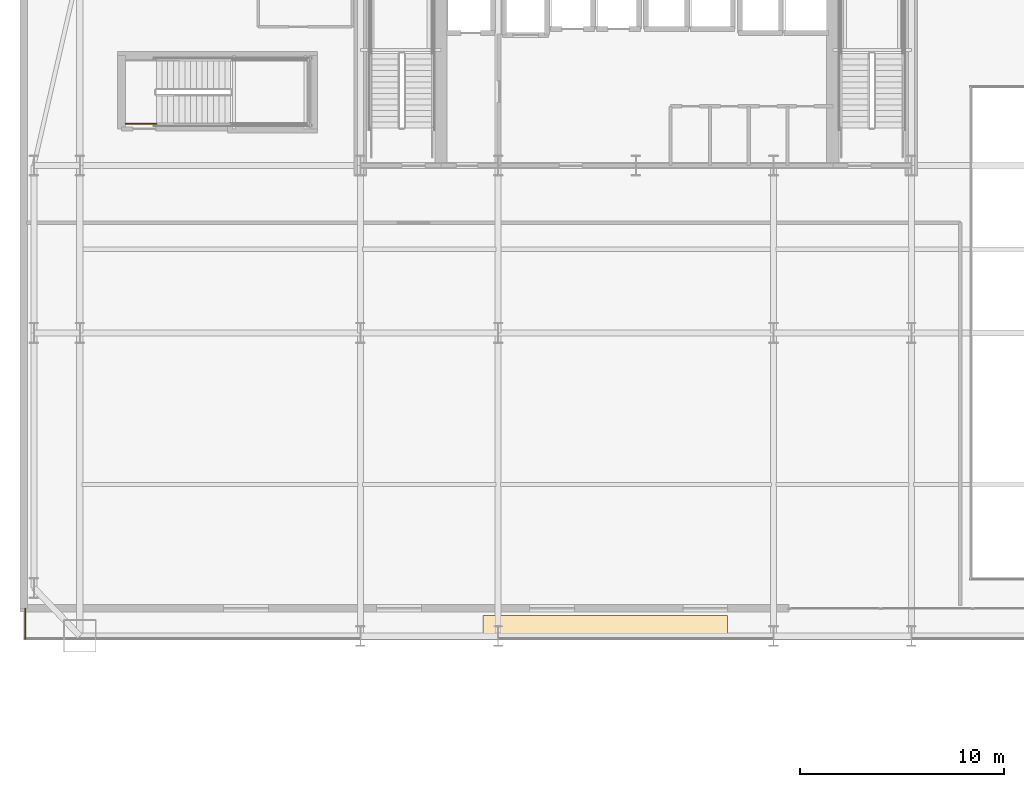
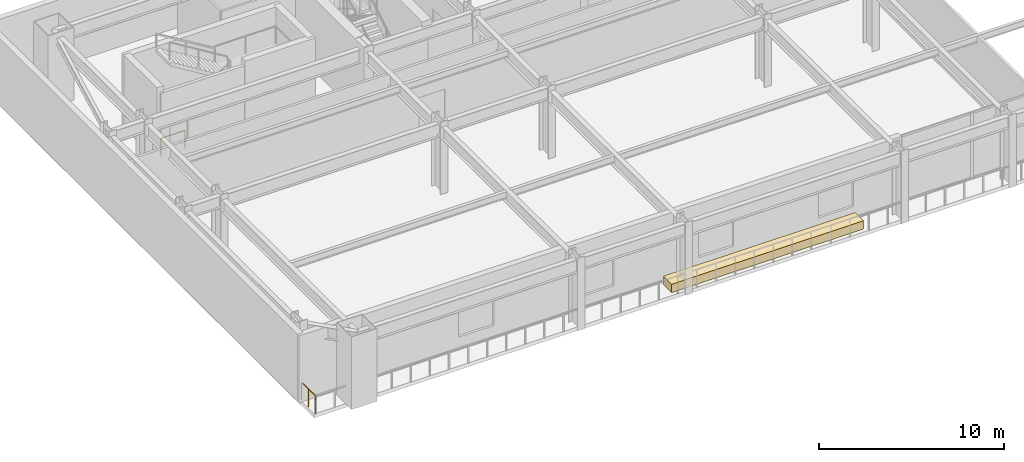
# One storey, part 24 of 35: 2 railings, 1 covering.
"""IFC4 building model written with IfcOpenShell, lengths in metres."""

from ifc_helpers import new_model, si_unit, direction, frame, origin, origin_2d, place, context, subcontext, project, spatial, polyline, rectangle, outline, extrude, material, layer, layer_set, type_object, element, save


model = new_model("IFC4")

# Units and contexts
model_context = context("Model", 3, precision=1e-05, world=origin(), true_north=direction((0.0, 1.0)))
body_context = subcontext(model_context, "Body", "Model", "MODEL_VIEW")
ifc_project = project(units=[si_unit("LENGTHUNIT", "METRE"), si_unit("AREAUNIT", "SQUARE_METRE"), si_unit("VOLUMEUNIT", "CUBIC_METRE"), si_unit("PLANEANGLEUNIT", "RADIAN"), si_unit("MASSUNIT", "GRAM", prefix="KILO")], contexts=[model_context])

# Site, building, storey
site_placement = place(None, origin())
site = spatial("IfcSite", under=ifc_project, at=site_placement, CompositionType="ELEMENT")
building_placement = place(site_placement, origin())
building = spatial("IfcBuilding", under=site, at=building_placement, Name="Haevon Station Towers", CompositionType="ELEMENT")
storey_placement = place(building_placement, frame((0.0, 0.0, 20.39990234375)))
storey = spatial("IfcBuildingStorey", under=building, at=storey_placement, Name="L04", CompositionType="ELEMENT", Elevation=20.39990234375)

# Railings
ifc_material_1 = material(Name="Steel S355", Category="steel")
railing_type_1 = type_object("IfcRailingType", Name="GRD-EXT1200", PredefinedType="GUARDRAIL", material=ifc_material_1)
railing_1_placement = place(storey_placement, frame((7.580078125, 16.494140625, 0.0)))
element("IfcRailing", 1, at=railing_1_placement, inside=storey, type_object=railing_type_1, Name="L04 Perimeter Guardrail 3", PredefinedType="GUARDRAIL", context=body_context, shape_type="SweptSolid", body=[
    extrude(rectangle(XDim=0.048095703125, YDim=0.048095703125, at=origin_2d()), frame((0.0, 0.0, 1.17578125), z_axis=(0.0, -1.0, 0.0), x_axis=(1.0, 0.0, 0.0)), (0.0, 0.0, 1.0), 1.4931640625),
    extrude(rectangle(XDim=0.0419921875, YDim=0.0419921875, at=origin_2d()), origin(), (0.0, 0.0, 1.0), 1.15185546875),
    extrude(rectangle(XDim=0.0419921875, YDim=0.0419921875, at=origin_2d()), frame((0.0, -0.74658203125, 0.0)), (0.0, 0.0, 1.0), 1.15185546875),
    extrude(rectangle(XDim=0.0419921875, YDim=0.0419921875, at=origin_2d()), frame((0.0, -1.4931640625, 0.0)), (0.0, 0.0, 1.0), 1.15185546875),
])
railing_type_2 = type_object("IfcRailingType", Name="GRD-STR1200", PredefinedType="GUARDRAIL", material=ifc_material_1)
railing_2_placement = place(storey_placement, frame((12.5, 40.25, 0.0)))
element("IfcRailing", 2, at=railing_2_placement, inside=storey, type_object=railing_type_2, Name="L04 ST5 Stair Guard 8", PredefinedType="GUARDRAIL", context=body_context, shape_type="SweptSolid", body=[
    extrude(rectangle(XDim=0.048095703125, YDim=0.048095703125, at=origin_2d()), frame((0.0, 0.0, 1.17578125), z_axis=(1.0, 0.0, 0.0), x_axis=(0.0, 1.0, 0.0)), (0.0, 0.0, 1.0), 1.5),
    extrude(rectangle(XDim=0.0419921875, YDim=0.0419921875, at=origin_2d()), origin(), (0.0, 0.0, 1.0), 1.15185546875),
    extrude(rectangle(XDim=0.0419921875, YDim=0.0419921875, at=origin_2d()), frame((1.5, 0.0, 0.0)), (0.0, 0.0, 1.0), 1.15185546875),
])

# Covering
ifc_material_2 = material(Name="Architectural planter GRC", Category="concrete")
ifc_layer = layer(ifc_material_2, 0.550048828125)
ifc_layer_set = layer_set([ifc_layer], Name="Architectural planter GRC")
covering_type = type_object("IfcCoveringType", Name="PLN-GRC550", PredefinedType="MOLDING", material=ifc_layer_set)
covering_placement = place(storey_placement, origin())
element("IfcCovering", 3, at=covering_placement, inside=storey, type_object=covering_type, Name="L04 Podium Terrace GRC PLANTER", PredefinedType="MOLDING", context=body_context, shape_type="SweptSolid", body=[
    extrude(outline(polyline([(30.0, 15.25), (42.0, 15.25), (42.0, 16.14501953125), (30.0, 16.14501953125), (30.0, 15.25)])), origin(), (0.0, 0.0, 1.0), 0.550048828125),
])

save(model, "model.ifc")
